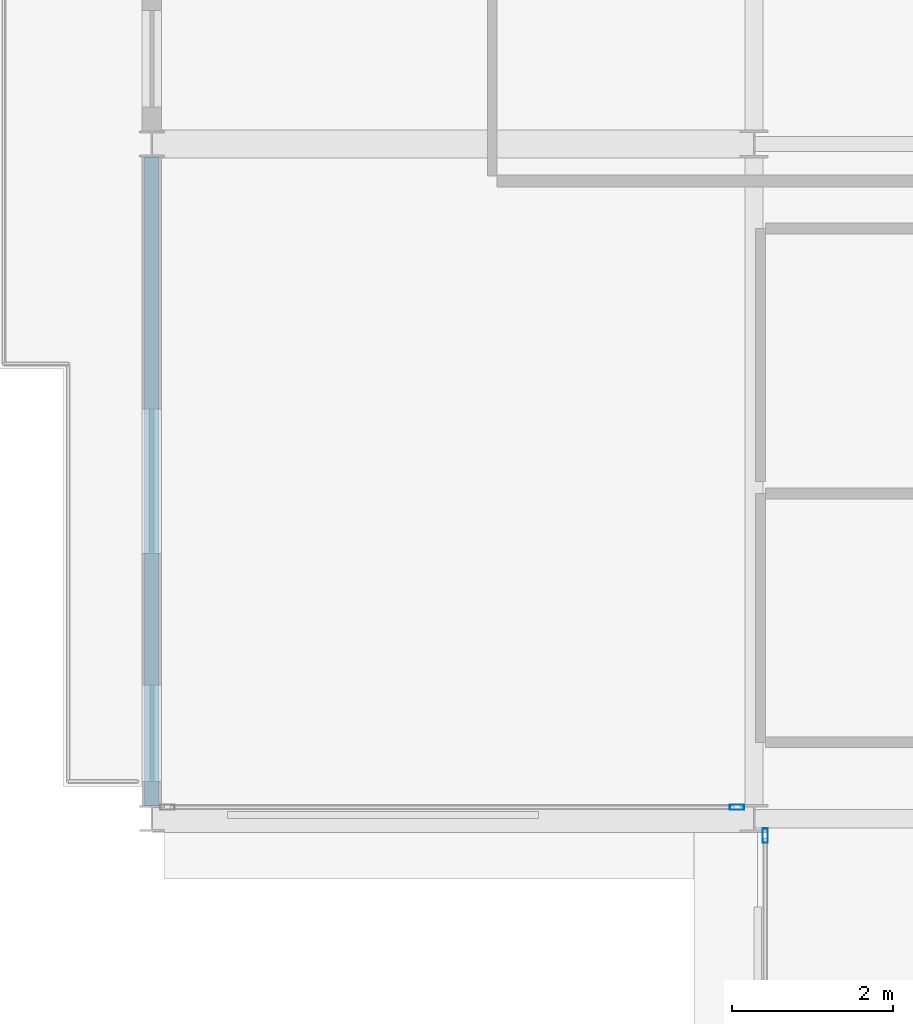
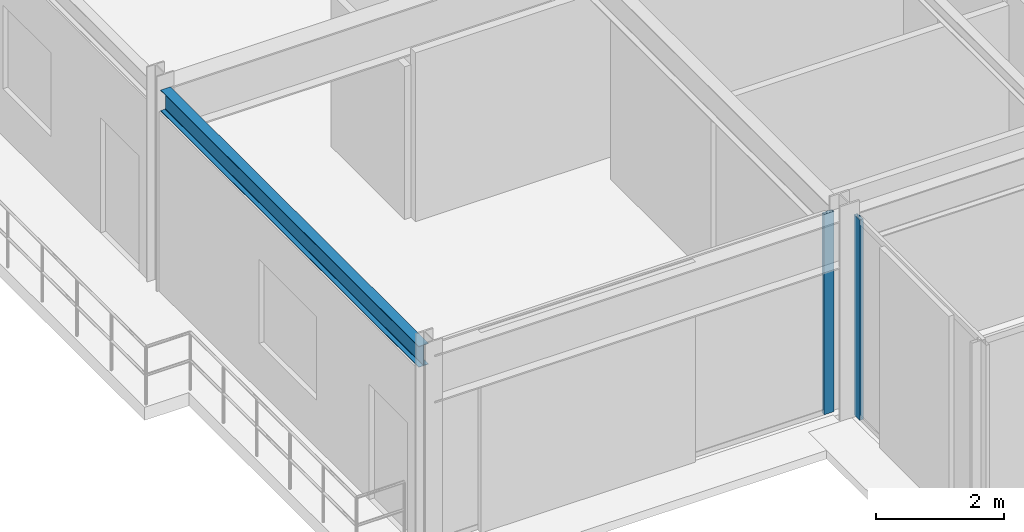
# One storey, part 4 of 29: 2 members, 1 beam, 2 elements without a shape of their own.
"""IFC4 building model written with IfcOpenShell, lengths in metres."""

from ifc_helpers import new_model, si_unit, direction, frame, origin, origin_2d, place, context, subcontext, project, spatial, hollow_rectangle, i_section, extrude, material, layer, layer_set, material_profile, profile_set, type_object, element, aggregate, save


model = new_model("IFC4")

# Units and contexts
model_context = context("Model", 3, precision=1e-05, world=origin(), true_north=direction((0.0, 1.0)))
body_context = subcontext(model_context, "Body", "Model", "MODEL_VIEW")
ifc_project = project(units=[si_unit("LENGTHUNIT", "METRE"), si_unit("AREAUNIT", "SQUARE_METRE"), si_unit("VOLUMEUNIT", "CUBIC_METRE"), si_unit("PLANEANGLEUNIT", "RADIAN"), si_unit("MASSUNIT", "GRAM", prefix="KILO")], contexts=[model_context])

# Site, building, storey
site_placement = place(None, origin())
site = spatial("IfcSite", under=ifc_project, at=site_placement, CompositionType="ELEMENT")
building_placement = place(site_placement, origin())
building = spatial("IfcBuilding", under=site, at=building_placement, Name="Nerrivon Quay Data Exchange", CompositionType="ELEMENT")
storey_placement = place(building_placement, frame((0.0, 0.0, 191.89990234375)))
storey = spatial("IfcBuildingStorey", under=building, at=storey_placement, Name="L45", CompositionType="ELEMENT", Elevation=191.89990234375)

# Beam
ifc_material_1 = material(Name="Steel Grade 350", Category="steel")
ifc_material_profile_1 = material_profile(ifc_material_1, i_section(OverallWidth=0.177978515625, OverallDepth=0.403076171875, WebThickness=0.007568359375, FlangeThickness=0.010986328125, FilletRadius=0.011474609375, at=origin_2d()), Name="410UB53.7")
ifc_profile_set_1 = profile_set([ifc_material_profile_1], Name="Steel Grade 350")
beam_type = type_object("IfcBeamType", Name="BM-SP2-410UB54", PredefinedType="SPANDREL", material=ifc_profile_set_1)
beam_placement = place(storey_placement, frame((-7.5, 8.5634765625, 3.62353515625), z_axis=(0.0, 1.0, 0.0), x_axis=(-1.0, 0.0, 0.0)))
element("IfcBeam", 1, at=beam_placement, inside=storey, type_object=beam_type, Name="L45 West Hooked Edge Spandrel", PredefinedType="SPANDREL", context=body_context, shape_type="SweptSolid", body=[
    extrude(i_section(OverallWidth=0.177978515625, OverallDepth=0.403076171875, WebThickness=0.007568359375, FlangeThickness=0.010986328125, FilletRadius=0.011474609375, at=origin_2d()), origin(), (0.0, 0.0, 1.0), 8.072998046875),
])

# Curtain wall, member
ifc_material_2 = material(Name="Anodised aluminium 6063-T6", Category="aluminium")
ifc_layer_1 = layer(ifc_material_2, 0.195068359375)
ifc_layer_set_1 = layer_set([ifc_layer_1], Name="Anodised aluminium 6063-T6")
curtain_wall_type_1 = type_object("IfcCurtainWallType", Name="CW-SYS-06", PredefinedType="NOTDEFINED", material=ifc_layer_set_1)
curtain_wall_1_placement = place(storey_placement, origin())
curtain_wall_1 = element("IfcCurtainWall", 2, at=curtain_wall_1_placement, inside=storey, type_object=curtain_wall_type_1, Name="L45 Unitised Curtain Wall 31", PredefinedType="NOTDEFINED")
ifc_material_profile_2 = material_profile(ifc_material_2, hollow_rectangle(XDim=0.06494140625, YDim=0.179931640625, WallThickness=0.00341796875, at=origin_2d()), Name="ALU-MULL-180x65")
ifc_profile_set_2 = profile_set([ifc_material_profile_2], Name="Anodised aluminium 6063-T6")
member_type = type_object("IfcMemberType", Name="CWM-180x65", PredefinedType="MULLION", material=ifc_profile_set_2)
member_1_placement = place(storey_placement, frame((0.139892578125, 8.1875, 0.0), z_axis=(0.0, 0.0, 1.0), x_axis=(-1.0, 0.0, 0.0)))
member_1 = element("IfcMember", 3, at=member_1_placement, type_object=member_type, Name="CW06 mullion 2", PredefinedType="MULLION", context=body_context, shape_type="SweptSolid", body=[
    extrude(hollow_rectangle(XDim=0.06494140625, YDim=0.179931640625, WallThickness=0.00341796875, at=origin_2d()), origin(), (0.0, 0.0, 1.0), 3.8251953125),
])
aggregate(curtain_wall_1, [member_1])

ifc_layer_2 = layer(ifc_material_2, 0.199951171875)
ifc_layer_set_2 = layer_set([ifc_layer_2], Name="Anodised aluminium 6063-T6")
curtain_wall_type_2 = type_object("IfcCurtainWallType", Name="CW-SYS-04", PredefinedType="NOTDEFINED", material=ifc_layer_set_2)
curtain_wall_2_placement = place(storey_placement, origin())
curtain_wall_2 = element("IfcCurtainWall", 4, at=curtain_wall_2_placement, inside=storey, type_object=curtain_wall_type_2, Name="L45 Unitised Curtain Wall 32", PredefinedType="NOTDEFINED")
member_2_placement = place(storey_placement, frame((-0.21240234375, 8.5400390625, 0.0), z_axis=(0.0, 0.0, 1.0), x_axis=(0.0, -1.0, 0.0)))
member_2 = element("IfcMember", 5, at=member_2_placement, type_object=member_type, Name="CW04 mullion 1", PredefinedType="MULLION", context=body_context, shape_type="SweptSolid", body=[
    extrude(hollow_rectangle(XDim=0.06494140625, YDim=0.179931640625, WallThickness=0.00341796875, at=origin_2d()), origin(), (0.0, 0.0, 1.0), 3.8251953125),
])
aggregate(curtain_wall_2, [member_2])

save(model, "model.ifc")
